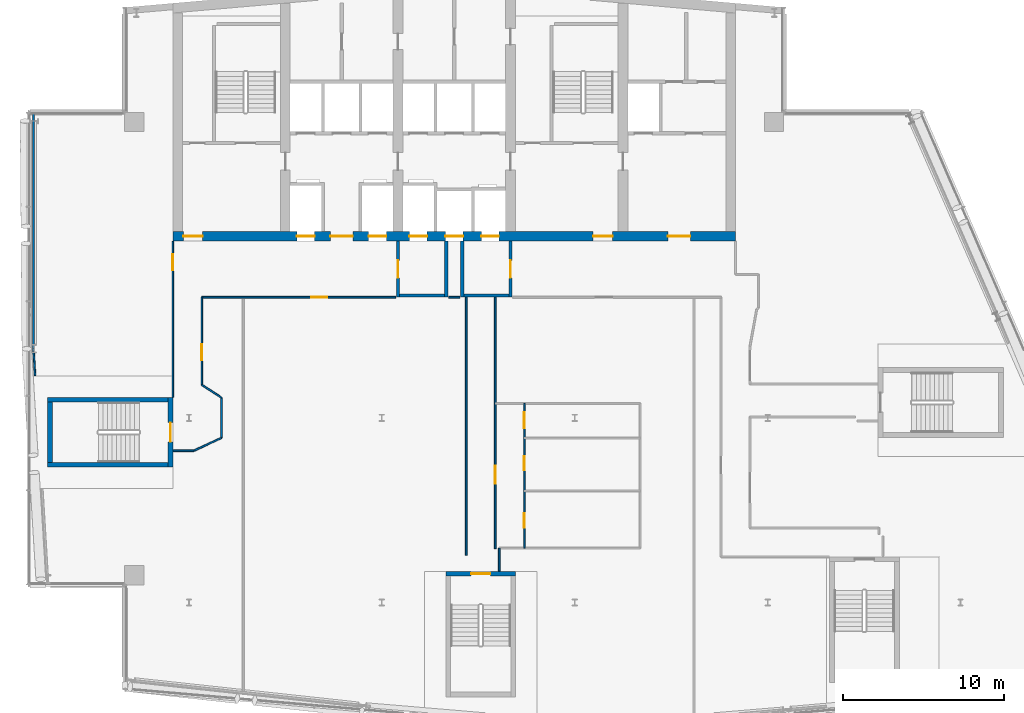
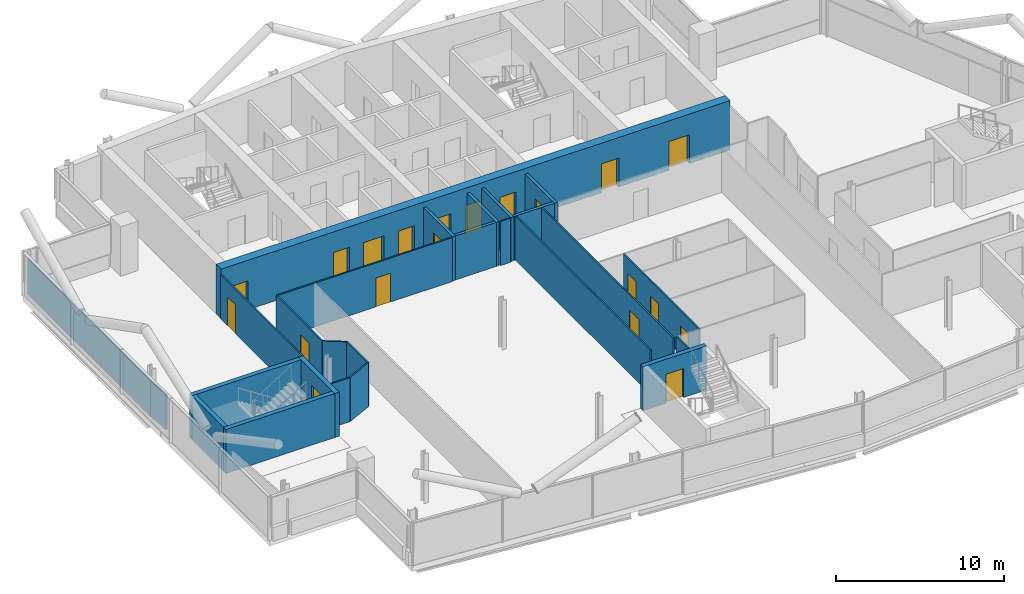
# One storey, part 15 of 26: 26 walls, 20 doors, 20 openings.
"""IFC4 building model written with IfcOpenShell, lengths in metres."""

from ifc_helpers import new_model, si_unit, direction, frame, frame_2d, origin, place, context, subcontext, project, spatial, rectangle, extrude, material, layer, layer_set, type_object, element, fill, save


model = new_model("IFC4")

# Units and contexts
model_context = context("Model", 3, precision=1e-05, world=origin(), true_north=direction((0.0, 1.0)))
body_context = subcontext(model_context, "Body", "Model", "MODEL_VIEW")
ifc_project = project(units=[si_unit("LENGTHUNIT", "METRE"), si_unit("AREAUNIT", "SQUARE_METRE"), si_unit("VOLUMEUNIT", "CUBIC_METRE"), si_unit("PLANEANGLEUNIT", "RADIAN"), si_unit("MASSUNIT", "GRAM", prefix="KILO")], contexts=[model_context])

# Site, building, storey
site_placement = place(None, origin())
site = spatial("IfcSite", under=ifc_project, at=site_placement, CompositionType="ELEMENT")
building_placement = place(site_placement, origin())
building = spatial("IfcBuilding", under=site, at=building_placement, Name="Wharfspan Tower", CompositionType="ELEMENT")
storey_placement = place(building_placement, frame((0.0, 0.0, 235.899902)))
storey = spatial("IfcBuildingStorey", under=building, at=storey_placement, Name="L59", CompositionType="ELEMENT", Elevation=235.899902)

# Wall, opening, door
ifc_material_1 = material(Name="Gypsum board on steel studs", Category="steel")
ifc_layer_1 = layer(ifc_material_1, 0.100098)
ifc_layer_set_1 = layer_set([ifc_layer_1], Name="Gypsum board on steel studs")
wall_type_1 = type_object("IfcWallType", Name="Compartment wall 100 EI 60", PredefinedType="PARTITIONING", material=ifc_layer_set_1)
wall_1_placement = place(storey_placement, frame((23.0, 24.274902, 0.0), z_axis=(0.0, 0.0, 1.0), x_axis=(0.0, 1.0, 0.0)))
wall_1 = element("IfcWall", 1, at=wall_1_placement, inside=storey, type_object=wall_type_1, Name="Partition L59.w004", PredefinedType="PARTITIONING", context=body_context, shape_type="SweptSolid", body=[
    extrude(rectangle(XDim=9.705078, YDim=0.100098, at=frame_2d((4.852539, 0.0))), origin(), (0.0, 0.0, 1.0), 3.200195),
])
opening_1_placement = place(wall_1_placement, frame((7.905029, 0.0, 0.0)))
opening_1 = element("IfcOpeningElement", 2, at=opening_1_placement, cuts=wall_1, Name="Opening D4-11", PredefinedType="OPENING", context=body_context, shape_type="SweptSolid", body=[
    extrude(rectangle(XDim=1.0, YDim=2.100098, at=frame_2d((0.5, 1.050049))), frame((0.0, 0.060059, 0.0), z_axis=(0.0, -1.0, 0.0), x_axis=(1.0, 0.0, 0.0)), (0.0, 0.0, 1.0), 0.120117),
])
ifc_material_2 = material(Name="Fire-rated timber door leaf in steel frame", Category="steel")
door_type_1 = type_object("IfcDoorType", Name="Door 1000 FD30S Right", OperationType="SINGLE_SWING_RIGHT", PredefinedType="DOOR", material=ifc_material_2)
door_1_placement = place(opening_1_placement, origin())
door_1 = element("IfcDoor", 3, at=door_1_placement, inside=storey, type_object=door_type_1, Name="Door D4-11", OperationType="SINGLE_SWING_RIGHT", OverallHeight=2.100098, OverallWidth=1.0, PredefinedType="DOOR", context=body_context, shape_type="SweptSolid", body=[
    extrude(rectangle(XDim=1.0, YDim=2.100098, at=frame_2d((0.5, 1.050049))), frame((0.0, 0.024902, 0.0), z_axis=(0.0, -1.0, 0.0), x_axis=(1.0, 0.0, 0.0)), (0.0, 0.0, 1.0), 0.050049),
])
fill(opening_1, door_1)

# Walls
wall_2_placement = place(storey_placement, frame((23.02002, 20.949951, 0.0), z_axis=(0.0, 0.0, 1.0), x_axis=(1.0, 0.0, 0.0)))
element("IfcWall", 4, at=wall_2_placement, inside=storey, type_object=wall_type_1, Name="Partition L59.w005", PredefinedType="PARTITIONING", context=body_context, shape_type="SweptSolid", body=[
    extrude(rectangle(XDim=1.280029, YDim=0.100098, at=frame_2d((0.640137, 0.0))), origin(), (0.0, 0.0, 1.0), 3.200195),
])
wall_3_placement = place(storey_placement, frame((24.300049, 20.949951, 0.0), z_axis=(0.0, 0.0, 1.0), x_axis=(0.907168, 0.420777, 0.0)))
element("IfcWall", 5, at=wall_3_placement, inside=storey, type_object=wall_type_1, Name="Partition L59.w006", PredefinedType="PARTITIONING", context=body_context, shape_type="SweptSolid", body=[
    extrude(rectangle(XDim=1.901367, YDim=0.100098, at=frame_2d((0.950684, 0.0))), origin(), (0.0, 0.0, 1.0), 3.200195),
])

# Wall, opening, door
wall_4_placement = place(storey_placement, frame((24.800049, 25.050049, 0.0), z_axis=(0.0, 0.0, 1.0), x_axis=(0.0, 1.0, 0.0)))
wall_4 = element("IfcWall", 6, at=wall_4_placement, inside=storey, type_object=wall_type_1, Name="Partition L59.w007", PredefinedType="PARTITIONING", context=body_context, shape_type="SweptSolid", body=[
    extrude(rectangle(XDim=5.449951, YDim=0.100098, at=frame_2d((2.725098, 0.0))), origin(), (0.0, 0.0, 1.0), 3.200195),
])
opening_2_placement = place(wall_4_placement, frame((1.536865, 0.0, 0.0)))
opening_2 = element("IfcOpeningElement", 7, at=opening_2_placement, cuts=wall_4, Name="Opening D4-08", PredefinedType="OPENING", context=body_context, shape_type="SweptSolid", body=[
    extrude(rectangle(XDim=1.0, YDim=2.100098, at=frame_2d((0.5, 1.050049))), frame((0.0, 0.060059, 0.0), z_axis=(0.0, -1.0, 0.0), x_axis=(1.0, 0.0, 0.0)), (0.0, 0.0, 1.0), 0.120117),
])
door_type_2 = type_object("IfcDoorType", Name="Door 1000 FD30S Left", OperationType="SINGLE_SWING_LEFT", PredefinedType="DOOR", material=ifc_material_2)
door_2_placement = place(opening_2_placement, origin())
door_2 = element("IfcDoor", 8, at=door_2_placement, inside=storey, type_object=door_type_2, Name="Door D4-08", OperationType="SINGLE_SWING_LEFT", OverallHeight=2.100098, OverallWidth=1.0, PredefinedType="DOOR", context=body_context, shape_type="SweptSolid", body=[
    extrude(rectangle(XDim=1.0, YDim=2.100098, at=frame_2d((0.5, 1.050049))), frame((0.0, 0.024902, 0.0), z_axis=(0.0, -1.0, 0.0), x_axis=(1.0, 0.0, 0.0)), (0.0, 0.0, 1.0), 0.050049),
])
fill(opening_2, door_2)

wall_5_placement = place(storey_placement, frame((24.800049, 30.5, 0.0), z_axis=(0.0, 0.0, 1.0), x_axis=(1.0, 0.0, 0.0)))
wall_5 = element("IfcWall", 9, at=wall_5_placement, inside=storey, type_object=wall_type_1, Name="Partition L59.w008", PredefinedType="PARTITIONING", context=body_context, shape_type="SweptSolid", body=[
    extrude(rectangle(XDim=12.050049, YDim=0.100098, at=frame_2d((6.024902, 0.0))), origin(), (0.0, 0.0, 1.0), 3.200195),
])
opening_3_placement = place(wall_5_placement, frame((6.794922, 0.0, 0.0)))
opening_3 = element("IfcOpeningElement", 10, at=opening_3_placement, cuts=wall_5, Name="Opening D4-09", PredefinedType="OPENING", context=body_context, shape_type="SweptSolid", body=[
    extrude(rectangle(XDim=1.0, YDim=2.100098, at=frame_2d((0.5, 1.050049))), frame((0.0, 0.060059, 0.0), z_axis=(0.0, -1.0, 0.0), x_axis=(1.0, 0.0, 0.0)), (0.0, 0.0, 1.0), 0.120117),
])
door_3_placement = place(opening_3_placement, origin())
door_3 = element("IfcDoor", 11, at=door_3_placement, inside=storey, type_object=door_type_2, Name="Door D4-09", OperationType="SINGLE_SWING_LEFT", OverallHeight=2.100098, OverallWidth=1.0, PredefinedType="DOOR", context=body_context, shape_type="SweptSolid", body=[
    extrude(rectangle(XDim=1.0, YDim=2.100098, at=frame_2d((0.5, 1.050049))), frame((0.0, 0.024902, 0.0), z_axis=(0.0, -1.0, 0.0), x_axis=(1.0, 0.0, 0.0)), (0.0, 0.0, 1.0), 0.050049),
])
fill(opening_3, door_3)

# Walls
wall_6_placement = place(storey_placement, frame((26.024902, 21.75, 0.0), z_axis=(0.0, 0.0, 1.0), x_axis=(0.0, 1.0, 0.0)))
element("IfcWall", 12, at=wall_6_placement, inside=storey, type_object=wall_type_1, Name="Partition L59.w009", PredefinedType="PARTITIONING", context=body_context, shape_type="SweptSolid", body=[
    extrude(rectangle(XDim=2.5, YDim=0.100098, at=frame_2d((1.25, 0.0))), origin(), (0.0, 0.0, 1.0), 3.200195),
])
wall_7_placement = place(storey_placement, frame((26.024902, 24.25, 0.0), z_axis=(0.0, 0.0, 1.0), x_axis=(-0.837222, 0.546856, 0.0)))
element("IfcWall", 13, at=wall_7_placement, inside=storey, type_object=wall_type_1, Name="Partition L59.w010", PredefinedType="PARTITIONING", context=body_context, shape_type="SweptSolid", body=[
    extrude(rectangle(XDim=1.462891, YDim=0.100098, at=frame_2d((0.731445, 0.0))), origin(), (0.0, 0.0, 1.0), 3.200195),
])
wall_8_placement = place(storey_placement, frame((41.25, 14.443115, 0.0), z_axis=(0.0, 0.0, 1.0), x_axis=(0.0, 1.0, 0.0)))
element("IfcWall", 14, at=wall_8_placement, inside=storey, type_object=wall_type_1, Name="Partition L59.w013", PredefinedType="PARTITIONING", context=body_context, shape_type="SweptSolid", body=[
    extrude(rectangle(XDim=16.056885, YDim=0.100098, at=frame_2d((8.02832, 0.0))), origin(), (0.0, 0.0, 1.0), 3.200195),
])

# Wall, opening, door
wall_9_placement = place(storey_placement, frame((43.054932, 14.860107, 0.0), z_axis=(0.0, 0.0, 1.0), x_axis=(0.0, 1.0, 0.0)))
wall_9 = element("IfcWall", 15, at=wall_9_placement, inside=storey, type_object=wall_type_1, Name="Partition L59.w014", PredefinedType="PARTITIONING", context=body_context, shape_type="SweptSolid", body=[
    extrude(rectangle(XDim=15.639893, YDim=0.100098, at=frame_2d((7.819824, 0.0))), origin(), (0.0, 0.0, 1.0), 3.200195),
])
opening_4_placement = place(wall_9_placement, frame((4.050049, 0.0, 0.0)))
opening_4 = element("IfcOpeningElement", 16, at=opening_4_placement, cuts=wall_9, Name="Opening D4-03", PredefinedType="OPENING", context=body_context, shape_type="SweptSolid", body=[
    extrude(rectangle(XDim=1.100098, YDim=2.100098, at=frame_2d((0.550049, 1.050049))), frame((0.0, 0.060059, 0.0), z_axis=(0.0, -1.0, 0.0), x_axis=(1.0, 0.0, 0.0)), (0.0, 0.0, 1.0), 0.120117),
])
door_type_3 = type_object("IfcDoorType", Name="Door 1100 FD30S Left", OperationType="SINGLE_SWING_LEFT", PredefinedType="DOOR", material=ifc_material_2)
door_4_placement = place(opening_4_placement, origin())
door_4 = element("IfcDoor", 17, at=door_4_placement, inside=storey, type_object=door_type_3, Name="Door D4-03", OperationType="SINGLE_SWING_LEFT", OverallHeight=2.100098, OverallWidth=1.100098, PredefinedType="DOOR", context=body_context, shape_type="SweptSolid", body=[
    extrude(rectangle(XDim=1.100098, YDim=2.100098, at=frame_2d((0.550049, 1.050049))), frame((0.0, 0.024902, 0.0), z_axis=(0.0, -1.0, 0.0), x_axis=(1.0, 0.0, 0.0)), (0.0, 0.0, 1.0), 0.050049),
])
fill(opening_4, door_4)

# Walls
wall_10_placement = place(storey_placement, frame((43.304932, 13.463135, 0.0), z_axis=(0.0, 0.0, 1.0), x_axis=(0.0, 1.0, 0.0)))
element("IfcWall", 18, at=wall_10_placement, inside=storey, type_object=wall_type_1, Name="Partition L59.w017", PredefinedType="PARTITIONING", context=body_context, shape_type="SweptSolid", body=[
    extrude(rectangle(XDim=1.431885, YDim=0.100098, at=frame_2d((0.71582, 0.0))), origin(), (0.0, 0.0, 1.0), 3.200195),
])
wall_11_placement = place(storey_placement, frame((40.149902, 30.5, 0.0), z_axis=(0.0, 0.0, 1.0), x_axis=(1.0, 0.0, 0.0)))
element("IfcWall", 19, at=wall_11_placement, inside=storey, type_object=wall_type_1, Name="Partition L59.w008 (2)", PredefinedType="PARTITIONING", context=body_context, shape_type="SweptSolid", body=[
    extrude(rectangle(XDim=0.700195, YDim=0.100098, at=frame_2d((0.350098, 0.0))), origin(), (0.0, 0.0, 1.0), 3.200195),
])

# Wall, openings, doors
ifc_material_3 = material(Name="Concrete C50/60", Category="concrete")
ifc_layer_2 = layer(ifc_material_3, 0.600098)
ifc_layer_set_2 = layer_set([ifc_layer_2], Name="Concrete C50/60")
wall_type_2 = type_object("IfcWallType", Name="Core wall 600 C50/60", PredefinedType="SHEAR", material=ifc_layer_set_2)
wall_12_placement = place(storey_placement, frame((23.0, 34.300049, 0.0), z_axis=(0.0, 0.0, 1.0), x_axis=(1.0, 0.0, 0.0)))
wall_12 = element("IfcWall", 20, at=wall_12_placement, inside=storey, type_object=wall_type_2, Name="Core front wall L59", PredefinedType="SHEAR", context=body_context, shape_type="SweptSolid", body=[
    extrude(rectangle(XDim=35.0, YDim=0.600098, at=frame_2d((17.5, 0.0))), origin(), (0.0, 0.0, 1.0), 3.600098),
])
opening_5_placement = place(wall_12_placement, frame((0.649902, 0.0, 0.0)))
opening_5 = element("IfcOpeningElement", 21, at=opening_5_placement, cuts=wall_12, Name="Opening SV2.L59", PredefinedType="OPENING", context=body_context, shape_type="SweptSolid", body=[
    extrude(rectangle(XDim=1.199951, YDim=2.100098, at=frame_2d((0.600098, 1.050049))), frame((0.0, 0.310059, 0.0), z_axis=(0.0, -1.0, 0.0), x_axis=(1.0, 0.0, 0.0)), (0.0, 0.0, 1.0), 0.620117),
])
opening_6_placement = place(wall_12_placement, frame((7.716797, 0.0, 0.0)))
opening_6 = element("IfcOpeningElement", 22, at=opening_6_placement, cuts=wall_12, Name="Opening LD.SL1.L59", PredefinedType="OPENING", context=body_context, shape_type="SweptSolid", body=[
    extrude(rectangle(XDim=1.100098, YDim=2.100098, at=frame_2d((0.550049, 1.050049))), frame((0.0, 0.310059, 0.0), z_axis=(0.0, -1.0, 0.0), x_axis=(1.0, 0.0, 0.0)), (0.0, 0.0, 1.0), 0.620117),
])
opening_7_placement = place(wall_12_placement, frame((12.18335, 0.0, 0.0)))
opening_7 = element("IfcOpeningElement", 23, at=opening_7_placement, cuts=wall_12, Name="Opening LD.SL2.L59", PredefinedType="OPENING", context=body_context, shape_type="SweptSolid", body=[
    extrude(rectangle(XDim=1.100098, YDim=2.100098, at=frame_2d((0.550049, 1.050049))), frame((0.0, 0.310059, 0.0), z_axis=(0.0, -1.0, 0.0), x_axis=(1.0, 0.0, 0.0)), (0.0, 0.0, 1.0), 0.620117),
])
opening_8_placement = place(wall_12_placement, frame((9.800049, 0.0, 0.0)))
opening_8 = element("IfcOpeningElement", 24, at=opening_8_placement, cuts=wall_12, Name="Opening HD59.3", PredefinedType="OPENING", context=body_context, shape_type="SweptSolid", body=[
    extrude(rectangle(XDim=1.399902, YDim=2.100098, at=frame_2d((0.699951, 1.050049))), frame((0.0, 0.310059, 0.0), z_axis=(0.0, -1.0, 0.0), x_axis=(1.0, 0.0, 0.0)), (0.0, 0.0, 1.0), 0.620117),
])
opening_9_placement = place(wall_12_placement, frame((14.716797, 0.0, 0.0)))
opening_9 = element("IfcOpeningElement", 25, at=opening_9_placement, cuts=wall_12, Name="Opening LD.FF1.L59", PredefinedType="OPENING", context=body_context, shape_type="SweptSolid", body=[
    extrude(rectangle(XDim=1.100098, YDim=2.100098, at=frame_2d((0.550049, 1.050049))), frame((0.0, 0.310059, 0.0), z_axis=(0.0, -1.0, 0.0), x_axis=(1.0, 0.0, 0.0)), (0.0, 0.0, 1.0), 0.620117),
])
opening_10_placement = place(wall_12_placement, frame((16.949951, 0.0, 0.0)))
opening_10 = element("IfcOpeningElement", 26, at=opening_10_placement, cuts=wall_12, Name="Opening LD.LB7.L59", PredefinedType="OPENING", context=body_context, shape_type="SweptSolid", body=[
    extrude(rectangle(XDim=1.100098, YDim=2.100098, at=frame_2d((0.550049, 1.050049))), frame((0.0, 0.310059, 0.0), z_axis=(0.0, -1.0, 0.0), x_axis=(1.0, 0.0, 0.0)), (0.0, 0.0, 1.0), 0.620117),
])
opening_11_placement = place(wall_12_placement, frame((19.18335, 0.0, 0.0)))
opening_11 = element("IfcOpeningElement", 27, at=opening_11_placement, cuts=wall_12, Name="Opening LD.FF2.L59", PredefinedType="OPENING", context=body_context, shape_type="SweptSolid", body=[
    extrude(rectangle(XDim=1.100098, YDim=2.100098, at=frame_2d((0.550049, 1.050049))), frame((0.0, 0.310059, 0.0), z_axis=(0.0, -1.0, 0.0), x_axis=(1.0, 0.0, 0.0)), (0.0, 0.0, 1.0), 0.620117),
])
opening_12_placement = place(wall_12_placement, frame((26.149902, 0.0, 0.0)))
opening_12 = element("IfcOpeningElement", 28, at=opening_12_placement, cuts=wall_12, Name="Opening SV5.L59", PredefinedType="OPENING", context=body_context, shape_type="SweptSolid", body=[
    extrude(rectangle(XDim=1.199951, YDim=2.100098, at=frame_2d((0.600098, 1.050049))), frame((0.0, 0.310059, 0.0), z_axis=(0.0, -1.0, 0.0), x_axis=(1.0, 0.0, 0.0)), (0.0, 0.0, 1.0), 0.620117),
])
opening_13_placement = place(wall_12_placement, frame((30.800049, 0.0, 0.0)))
opening_13 = element("IfcOpeningElement", 29, at=opening_13_placement, cuts=wall_12, Name="Opening HD59.6", PredefinedType="OPENING", context=body_context, shape_type="SweptSolid", body=[
    extrude(rectangle(XDim=1.399902, YDim=2.100098, at=frame_2d((0.699951, 1.050049))), frame((0.0, 0.310059, 0.0), z_axis=(0.0, -1.0, 0.0), x_axis=(1.0, 0.0, 0.0)), (0.0, 0.0, 1.0), 0.620117),
])
ifc_material_4 = material(Name="Steel door leaf", Category="steel")
door_type_4 = type_object("IfcDoorType", Name="Hall entry door 1400x2100", OperationType="DOUBLE_DOOR_SINGLE_SWING", PredefinedType="DOOR", material=ifc_material_4)
door_5_placement = place(opening_8_placement, origin())
door_5 = element("IfcDoor", 30, at=door_5_placement, inside=storey, type_object=door_type_4, Name="d:L59:3:hd3", OperationType="DOUBLE_DOOR_SINGLE_SWING", OverallHeight=2.100098, OverallWidth=1.399902, PredefinedType="DOOR", context=body_context, shape_type="SweptSolid", body=[
    extrude(rectangle(XDim=1.399902, YDim=2.100098, at=frame_2d((0.699951, 1.050049))), frame((0.0, 0.024902, 0.0), z_axis=(0.0, -1.0, 0.0), x_axis=(1.0, 0.0, 0.0)), (0.0, 0.0, 1.0), 0.050049),
])
fill(opening_8, door_5)
door_6_placement = place(opening_13_placement, origin())
door_6 = element("IfcDoor", 31, at=door_6_placement, inside=storey, type_object=door_type_4, Name="d:L59:6:hd6", OperationType="DOUBLE_DOOR_SINGLE_SWING", OverallHeight=2.100098, OverallWidth=1.399902, PredefinedType="DOOR", context=body_context, shape_type="SweptSolid", body=[
    extrude(rectangle(XDim=1.399902, YDim=2.100098, at=frame_2d((0.699951, 1.050049))), frame((0.0, 0.024902, 0.0), z_axis=(0.0, -1.0, 0.0), x_axis=(1.0, 0.0, 0.0)), (0.0, 0.0, 1.0), 0.050049),
])
fill(opening_13, door_6)
ifc_material_5 = material(Name="Stainless steel", Category="steel")
door_type_5 = type_object("IfcDoorType", Name="Lift landing door 1100x2100", OperationType="DOUBLE_DOOR_SLIDING", PredefinedType="DOOR", material=ifc_material_5)
door_7_placement = place(opening_6_placement, origin())
door_7 = element("IfcDoor", 32, at=door_7_placement, inside=storey, type_object=door_type_5, Name="Landing door SL1 L59", OperationType="DOUBLE_DOOR_SLIDING", OverallHeight=2.100098, OverallWidth=1.100098, PredefinedType="DOOR", context=body_context, shape_type="SweptSolid", body=[
    extrude(rectangle(XDim=1.100098, YDim=2.100098, at=frame_2d((0.550049, 1.050049))), frame((0.0, 0.024902, 0.0), z_axis=(0.0, -1.0, 0.0), x_axis=(1.0, 0.0, 0.0)), (0.0, 0.0, 1.0), 0.050049),
])
fill(opening_6, door_7)
door_8_placement = place(opening_7_placement, origin())
door_8 = element("IfcDoor", 33, at=door_8_placement, inside=storey, type_object=door_type_5, Name="Landing door SL2 L59", OperationType="DOUBLE_DOOR_SLIDING", OverallHeight=2.100098, OverallWidth=1.100098, PredefinedType="DOOR", context=body_context, shape_type="SweptSolid", body=[
    extrude(rectangle(XDim=1.100098, YDim=2.100098, at=frame_2d((0.550049, 1.050049))), frame((0.0, 0.024902, 0.0), z_axis=(0.0, -1.0, 0.0), x_axis=(1.0, 0.0, 0.0)), (0.0, 0.0, 1.0), 0.050049),
])
fill(opening_7, door_8)
door_9_placement = place(opening_9_placement, origin())
door_9 = element("IfcDoor", 34, at=door_9_placement, inside=storey, type_object=door_type_5, Name="Landing door FF1 L59", OperationType="DOUBLE_DOOR_SLIDING", OverallHeight=2.100098, OverallWidth=1.100098, PredefinedType="DOOR", context=body_context, shape_type="SweptSolid", body=[
    extrude(rectangle(XDim=1.100098, YDim=2.100098, at=frame_2d((0.550049, 1.050049))), frame((0.0, 0.024902, 0.0), z_axis=(0.0, -1.0, 0.0), x_axis=(1.0, 0.0, 0.0)), (0.0, 0.0, 1.0), 0.050049),
])
fill(opening_9, door_9)
door_10_placement = place(opening_10_placement, origin())
door_10 = element("IfcDoor", 35, at=door_10_placement, inside=storey, type_object=door_type_5, Name="Landing door LB7 L59", OperationType="DOUBLE_DOOR_SLIDING", OverallHeight=2.100098, OverallWidth=1.100098, PredefinedType="DOOR", context=body_context, shape_type="SweptSolid", body=[
    extrude(rectangle(XDim=1.100098, YDim=2.100098, at=frame_2d((0.550049, 1.050049))), frame((0.0, 0.024902, 0.0), z_axis=(0.0, -1.0, 0.0), x_axis=(1.0, 0.0, 0.0)), (0.0, 0.0, 1.0), 0.050049),
])
fill(opening_10, door_10)
door_11_placement = place(opening_11_placement, origin())
door_11 = element("IfcDoor", 36, at=door_11_placement, inside=storey, type_object=door_type_5, Name="Landing door FF2 L59", OperationType="DOUBLE_DOOR_SLIDING", OverallHeight=2.100098, OverallWidth=1.100098, PredefinedType="DOOR", context=body_context, shape_type="SweptSolid", body=[
    extrude(rectangle(XDim=1.100098, YDim=2.100098, at=frame_2d((0.550049, 1.050049))), frame((0.0, 0.024902, 0.0), z_axis=(0.0, -1.0, 0.0), x_axis=(1.0, 0.0, 0.0)), (0.0, 0.0, 1.0), 0.050049),
])
fill(opening_11, door_11)
door_type_6 = type_object("IfcDoorType", Name="Stair door 1200x2100", OperationType="SINGLE_SWING_LEFT", PredefinedType="DOOR", material=ifc_material_4)
door_12_placement = place(opening_5_placement, origin())
door_12 = element("IfcDoor", 37, at=door_12_placement, inside=storey, type_object=door_type_6, Name="vd:L59:2", OperationType="SINGLE_SWING_LEFT", OverallHeight=2.100098, OverallWidth=1.199951, PredefinedType="DOOR", context=body_context, shape_type="SweptSolid", body=[
    extrude(rectangle(XDim=1.199951, YDim=2.100098, at=frame_2d((0.600098, 1.050049))), frame((0.0, 0.024902, 0.0), z_axis=(0.0, -1.0, 0.0), x_axis=(1.0, 0.0, 0.0)), (0.0, 0.0, 1.0), 0.050049),
])
fill(opening_5, door_12)
door_13_placement = place(opening_12_placement, origin())
door_13 = element("IfcDoor", 38, at=door_13_placement, inside=storey, type_object=door_type_6, Name="vd:L59:5", OperationType="SINGLE_SWING_LEFT", OverallHeight=2.100098, OverallWidth=1.199951, PredefinedType="DOOR", context=body_context, shape_type="SweptSolid", body=[
    extrude(rectangle(XDim=1.199951, YDim=2.100098, at=frame_2d((0.600098, 1.050049))), frame((0.0, 0.024902, 0.0), z_axis=(0.0, -1.0, 0.0), x_axis=(1.0, 0.0, 0.0)), (0.0, 0.0, 1.0), 0.050049),
])
fill(opening_12, door_13)

# Wall, opening, door
ifc_material_6 = material(Name="Concrete C30/37", Category="concrete")
ifc_layer_3 = layer(ifc_material_6, 0.199951)
ifc_layer_set_3 = layer_set([ifc_layer_3], Name="Concrete C30/37")
wall_type_3 = type_object("IfcWallType", Name="Lobby wall 200", PredefinedType="PARTITIONING", material=ifc_layer_set_3)
wall_13_placement = place(storey_placement, frame((37.0, 30.5, 0.0), z_axis=(0.0, 0.0, 1.0), x_axis=(0.0, 1.0, 0.0)))
wall_13 = element("IfcWall", 39, at=wall_13_placement, inside=storey, type_object=wall_type_3, Name="sw:L59:FLFF1W", PredefinedType="PARTITIONING", context=body_context, shape_type="SweptSolid", body=[
    extrude(rectangle(XDim=3.5, YDim=0.199951, at=frame_2d((1.75, 0.0))), origin(), (0.0, 0.0, 1.0), 3.200195),
])
opening_14_placement = place(wall_13_placement, frame((1.199951, 0.0, 0.0)))
opening_14 = element("IfcOpeningElement", 40, at=opening_14_placement, cuts=wall_13, Name="Opening FL.FF1.L59", PredefinedType="OPENING", context=body_context, shape_type="SweptSolid", body=[
    extrude(rectangle(XDim=1.100098, YDim=2.100098, at=frame_2d((0.550049, 1.050049))), frame((0.0, 0.109863, 0.0), z_axis=(0.0, -1.0, 0.0), x_axis=(1.0, 0.0, 0.0)), (0.0, 0.0, 1.0), 0.219971),
])
door_type_7 = type_object("IfcDoorType", Name="Firefighting lobby door 1100x2100", OperationType="SINGLE_SWING_LEFT", PredefinedType="DOOR", material=ifc_material_4)
door_14_placement = place(opening_14_placement, origin())
door_14 = element("IfcDoor", 41, at=door_14_placement, inside=storey, type_object=door_type_7, Name="fd:L59:FF1", OperationType="SINGLE_SWING_LEFT", OverallHeight=2.100098, OverallWidth=1.100098, PredefinedType="DOOR", context=body_context, shape_type="SweptSolid", body=[
    extrude(rectangle(XDim=1.100098, YDim=2.100098, at=frame_2d((0.550049, 1.050049))), frame((0.0, 0.024902, 0.0), z_axis=(0.0, -1.0, 0.0), x_axis=(1.0, 0.0, 0.0)), (0.0, 0.0, 1.0), 0.050049),
])
fill(opening_14, door_14)

# Walls
wall_14_placement = place(storey_placement, frame((40.0, 30.5, 0.0), z_axis=(0.0, 0.0, 1.0), x_axis=(0.0, 1.0, 0.0)))
element("IfcWall", 42, at=wall_14_placement, inside=storey, type_object=wall_type_3, Name="sw:L59:FLFF1E", PredefinedType="PARTITIONING", context=body_context, shape_type="SweptSolid", body=[
    extrude(rectangle(XDim=3.5, YDim=0.199951, at=frame_2d((1.75, 0.0))), origin(), (0.0, 0.0, 1.0), 3.200195),
])
wall_15_placement = place(storey_placement, frame((37.100098, 30.600098, 0.0), z_axis=(0.0, 0.0, 1.0), x_axis=(1.0, 0.0, 0.0)))
element("IfcWall", 43, at=wall_15_placement, inside=storey, type_object=wall_type_3, Name="sw:L59:FLFF1F", PredefinedType="PARTITIONING", context=body_context, shape_type="SweptSolid", body=[
    extrude(rectangle(XDim=2.799805, YDim=0.199951, at=frame_2d((1.399902, 0.0))), origin(), (0.0, 0.0, 1.0), 3.200195),
])
wall_16_placement = place(storey_placement, frame((41.0, 30.5, 0.0), z_axis=(0.0, 0.0, 1.0), x_axis=(0.0, 1.0, 0.0)))
element("IfcWall", 44, at=wall_16_placement, inside=storey, type_object=wall_type_3, Name="sw:L59:FLFF2W", PredefinedType="PARTITIONING", context=body_context, shape_type="SweptSolid", body=[
    extrude(rectangle(XDim=3.5, YDim=0.199951, at=frame_2d((1.75, 0.0))), origin(), (0.0, 0.0, 1.0), 3.200195),
])

# Wall, opening, door
wall_17_placement = place(storey_placement, frame((44.0, 30.5, 0.0), z_axis=(0.0, 0.0, 1.0), x_axis=(0.0, 1.0, 0.0)))
wall_17 = element("IfcWall", 45, at=wall_17_placement, inside=storey, type_object=wall_type_3, Name="sw:L59:FLFF2E", PredefinedType="PARTITIONING", context=body_context, shape_type="SweptSolid", body=[
    extrude(rectangle(XDim=3.5, YDim=0.199951, at=frame_2d((1.75, 0.0))), origin(), (0.0, 0.0, 1.0), 3.200195),
])
opening_15_placement = place(wall_17_placement, frame((1.199951, 0.0, 0.0)))
opening_15 = element("IfcOpeningElement", 46, at=opening_15_placement, cuts=wall_17, Name="Opening FL.FF2.L59", PredefinedType="OPENING", context=body_context, shape_type="SweptSolid", body=[
    extrude(rectangle(XDim=1.100098, YDim=2.100098, at=frame_2d((0.550049, 1.050049))), frame((0.0, 0.109863, 0.0), z_axis=(0.0, -1.0, 0.0), x_axis=(1.0, 0.0, 0.0)), (0.0, 0.0, 1.0), 0.219971),
])
door_15_placement = place(opening_15_placement, origin())
door_15 = element("IfcDoor", 47, at=door_15_placement, inside=storey, type_object=door_type_7, Name="fd:L59:FF2", OperationType="SINGLE_SWING_LEFT", OverallHeight=2.100098, OverallWidth=1.100098, PredefinedType="DOOR", context=body_context, shape_type="SweptSolid", body=[
    extrude(rectangle(XDim=1.100098, YDim=2.100098, at=frame_2d((0.550049, 1.050049))), frame((0.0, 0.024902, 0.0), z_axis=(0.0, -1.0, 0.0), x_axis=(1.0, 0.0, 0.0)), (0.0, 0.0, 1.0), 0.050049),
])
fill(opening_15, door_15)

# Walls
wall_18_placement = place(storey_placement, frame((41.100098, 30.600098, 0.0), z_axis=(0.0, 0.0, 1.0), x_axis=(1.0, 0.0, 0.0)))
element("IfcWall", 48, at=wall_18_placement, inside=storey, type_object=wall_type_3, Name="sw:L59:FLFF2F", PredefinedType="PARTITIONING", context=body_context, shape_type="SweptSolid", body=[
    extrude(rectangle(XDim=2.799805, YDim=0.199951, at=frame_2d((1.399902, 0.0))), origin(), (0.0, 0.0, 1.0), 3.200195),
])
ifc_layer_4 = layer(ifc_material_1, 0.100098)
ifc_layer_set_4 = layer_set([ifc_layer_4], Name="Gypsum board on steel studs")
wall_type_4 = type_object("IfcWallType", Name="Partition 100", PredefinedType="PARTITIONING", material=ifc_layer_set_4)
wall_19_placement = place(storey_placement, frame((14.324951, 27.300049, 0.0), z_axis=(0.0, 0.0, 1.0), x_axis=(0.0, 1.0, 0.0)))
element("IfcWall", 49, at=wall_19_placement, inside=storey, type_object=wall_type_4, Name="Partition L59.w001", PredefinedType="PARTITIONING", context=body_context, shape_type="SweptSolid", body=[
    extrude(rectangle(XDim=14.679932, YDim=0.100098, at=frame_2d((7.339844, 0.0))), origin(), (0.0, 0.0, 1.0), 2.580078),
])
wall_20_placement = place(storey_placement, frame((14.428711, 25.620117, 0.0), z_axis=(0.0, 0.0, 1.0), x_axis=(-0.061647, 0.998101, 0.0)))
element("IfcWall", 50, at=wall_20_placement, inside=storey, type_object=wall_type_4, Name="Partition L59.w002", PredefinedType="PARTITIONING", context=body_context, shape_type="SweptSolid", body=[
    extrude(rectangle(XDim=1.683105, YDim=0.100098, at=frame_2d((0.841553, 0.0))), origin(), (0.0, 0.0, 1.0), 2.580078),
])

# Wall, openings, doors
wall_21_placement = place(storey_placement, frame((44.86499, 14.89502, 0.0), z_axis=(0.0, 0.0, 1.0), x_axis=(0.0, 1.0, 0.0)))
wall_21 = element("IfcWall", 51, at=wall_21_placement, inside=storey, type_object=wall_type_4, Name="Partition L59.w019", PredefinedType="PARTITIONING", context=body_context, shape_type="SweptSolid", body=[
    extrude(rectangle(XDim=9.0, YDim=0.100098, at=frame_2d((4.5, 0.0))), origin(), (0.0, 0.0, 1.0), 3.200195),
])
opening_16_placement = place(wall_21_placement, frame((1.272949, 0.0, 0.0)))
opening_16 = element("IfcOpeningElement", 52, at=opening_16_placement, cuts=wall_21, Name="Opening D4-01", PredefinedType="OPENING", context=body_context, shape_type="SweptSolid", body=[
    extrude(rectangle(XDim=0.899902, YDim=2.100098, at=frame_2d((0.449951, 1.050049))), frame((0.0, 0.060059, 0.0), z_axis=(0.0, -1.0, 0.0), x_axis=(1.0, 0.0, 0.0)), (0.0, 0.0, 1.0), 0.120117),
])
opening_17_placement = place(wall_21_placement, frame((4.827881, 0.0, 0.0)))
opening_17 = element("IfcOpeningElement", 53, at=opening_17_placement, cuts=wall_21, Name="Opening D4-05", PredefinedType="OPENING", context=body_context, shape_type="SweptSolid", body=[
    extrude(rectangle(XDim=0.899902, YDim=2.100098, at=frame_2d((0.449951, 1.050049))), frame((0.0, 0.060059, 0.0), z_axis=(0.0, -1.0, 0.0), x_axis=(1.0, 0.0, 0.0)), (0.0, 0.0, 1.0), 0.120117),
])
opening_18_placement = place(wall_21_placement, frame((7.462891, 0.0, 0.0)))
opening_18 = element("IfcOpeningElement", 54, at=opening_18_placement, cuts=wall_21, Name="Opening D4-06", PredefinedType="OPENING", context=body_context, shape_type="SweptSolid", body=[
    extrude(rectangle(XDim=1.0, YDim=2.100098, at=frame_2d((0.5, 1.050049))), frame((0.0, 0.060059, 0.0), z_axis=(0.0, -1.0, 0.0), x_axis=(1.0, 0.0, 0.0)), (0.0, 0.0, 1.0), 0.120117),
])
ifc_material_7 = material(Name="Timber door leaf in steel frame", Category="steel")
door_type_8 = type_object("IfcDoorType", Name="Door 1000 NOT RATED Right", OperationType="SINGLE_SWING_RIGHT", PredefinedType="DOOR", material=ifc_material_7)
door_16_placement = place(opening_18_placement, origin())
door_16 = element("IfcDoor", 55, at=door_16_placement, inside=storey, type_object=door_type_8, Name="Door D4-06", OperationType="SINGLE_SWING_RIGHT", OverallHeight=2.100098, OverallWidth=1.0, PredefinedType="DOOR", context=body_context, shape_type="SweptSolid", body=[
    extrude(rectangle(XDim=1.0, YDim=2.100098, at=frame_2d((0.5, 1.050049))), frame((0.0, 0.024902, 0.0), z_axis=(0.0, -1.0, 0.0), x_axis=(1.0, 0.0, 0.0)), (0.0, 0.0, 1.0), 0.050049),
])
fill(opening_18, door_16)
door_type_9 = type_object("IfcDoorType", Name="Door 900 NOT RATED Left", OperationType="SINGLE_SWING_LEFT", PredefinedType="DOOR", material=ifc_material_7)
door_17_placement = place(opening_16_placement, origin())
door_17 = element("IfcDoor", 56, at=door_17_placement, inside=storey, type_object=door_type_9, Name="Door D4-01", OperationType="SINGLE_SWING_LEFT", OverallHeight=2.100098, OverallWidth=0.899902, PredefinedType="DOOR", context=body_context, shape_type="SweptSolid", body=[
    extrude(rectangle(XDim=0.899902, YDim=2.100098, at=frame_2d((0.449951, 1.050049))), frame((0.0, 0.024902, 0.0), z_axis=(0.0, -1.0, 0.0), x_axis=(1.0, 0.0, 0.0)), (0.0, 0.0, 1.0), 0.050049),
])
fill(opening_16, door_17)
door_type_10 = type_object("IfcDoorType", Name="Door 900 NOT RATED Right", OperationType="SINGLE_SWING_RIGHT", PredefinedType="DOOR", material=ifc_material_7)
door_18_placement = place(opening_17_placement, origin())
door_18 = element("IfcDoor", 57, at=door_18_placement, inside=storey, type_object=door_type_10, Name="Door D4-05", OperationType="SINGLE_SWING_RIGHT", OverallHeight=2.100098, OverallWidth=0.899902, PredefinedType="DOOR", context=body_context, shape_type="SweptSolid", body=[
    extrude(rectangle(XDim=0.899902, YDim=2.100098, at=frame_2d((0.449951, 1.050049))), frame((0.0, 0.024902, 0.0), z_axis=(0.0, -1.0, 0.0), x_axis=(1.0, 0.0, 0.0)), (0.0, 0.0, 1.0), 0.050049),
])
fill(opening_17, door_18)

# Wall, opening, door
ifc_material_8 = material(Name="Concrete C40/50", Category="concrete")
ifc_layer_5 = layer(ifc_material_8, 0.300049)
ifc_layer_set_5 = layer_set([ifc_layer_5], Name="Concrete C40/50")
wall_type_5 = type_object("IfcWallType", Name="Stair core wall 300", PredefinedType="SHEAR", material=ifc_layer_set_5)
wall_22_placement = place(storey_placement, frame((22.850098, 19.925049, 0.0), z_axis=(0.0, 0.0, 1.0), x_axis=(0.0, 1.0, 0.0)))
wall_22 = element("IfcWall", 58, at=wall_22_placement, inside=storey, type_object=wall_type_5, Name="ST3 stair enclosure wall L59", PredefinedType="SHEAR", context=body_context, shape_type="SweptSolid", body=[
    extrude(rectangle(XDim=4.349854, YDim=0.300049, at=frame_2d((2.174805, 0.0))), origin(), (0.0, 0.0, 1.0), 3.200195),
])
opening_19_placement = place(wall_22_placement, frame((1.574951, 0.0, 0.0)))
opening_19 = element("IfcOpeningElement", 59, at=opening_19_placement, cuts=wall_22, Name="Opening SD3.L59", PredefinedType="OPENING", context=body_context, shape_type="SweptSolid", body=[
    extrude(rectangle(XDim=1.199951, YDim=2.100098, at=frame_2d((0.600098, 1.050049))), frame((0.0, 0.159912, 0.0), z_axis=(0.0, -1.0, 0.0), x_axis=(1.0, 0.0, 0.0)), (0.0, 0.0, 1.0), 0.320068),
])
door_19_placement = place(opening_19_placement, origin())
door_19 = element("IfcDoor", 60, at=door_19_placement, inside=storey, type_object=door_type_6, Name="sd:L59:ST3z4", OperationType="SINGLE_SWING_RIGHT", OverallHeight=2.100098, OverallWidth=1.199951, PredefinedType="DOOR", context=body_context, shape_type="SweptSolid", body=[
    extrude(rectangle(XDim=1.199951, YDim=2.100098, at=frame_2d((0.600098, 1.050049))), frame((0.0, 0.024902, 0.0), z_axis=(0.0, -1.0, 0.0), x_axis=(1.0, 0.0, 0.0)), (0.0, 0.0, 1.0), 0.050049),
])
fill(opening_19, door_19)

wall_23_placement = place(storey_placement, frame((39.977051, 13.293213, 0.0), z_axis=(0.0, 0.0, 1.0), x_axis=(1.0, 0.0, 0.0)))
wall_23 = element("IfcWall", 61, at=wall_23_placement, inside=storey, type_object=wall_type_5, Name="ST4 stair enclosure wall L59", PredefinedType="SHEAR", context=body_context, shape_type="SweptSolid", body=[
    extrude(rectangle(XDim=4.350098, YDim=0.300049, at=frame_2d((2.175049, 0.0))), origin(), (0.0, 0.0, 1.0), 3.200195),
])
opening_20_placement = place(wall_23_placement, frame((1.574951, 0.0, 0.0)))
opening_20 = element("IfcOpeningElement", 62, at=opening_20_placement, cuts=wall_23, Name="Opening SD4.L59", PredefinedType="OPENING", context=body_context, shape_type="SweptSolid", body=[
    extrude(rectangle(XDim=1.199951, YDim=2.100098, at=frame_2d((0.600098, 1.050049))), frame((0.0, 0.159912, 0.0), z_axis=(0.0, -1.0, 0.0), x_axis=(1.0, 0.0, 0.0)), (0.0, 0.0, 1.0), 0.320068),
])
door_20_placement = place(opening_20_placement, origin())
door_20 = element("IfcDoor", 63, at=door_20_placement, inside=storey, type_object=door_type_6, Name="sd:L59:ST4z4", OperationType="SINGLE_SWING_RIGHT", OverallHeight=2.100098, OverallWidth=1.199951, PredefinedType="DOOR", context=body_context, shape_type="SweptSolid", body=[
    extrude(rectangle(XDim=1.199951, YDim=2.100098, at=frame_2d((0.600098, 1.050049))), frame((0.0, 0.024902, 0.0), z_axis=(0.0, -1.0, 0.0), x_axis=(1.0, 0.0, 0.0)), (0.0, 0.0, 1.0), 0.050049),
])
fill(opening_20, door_20)

# Walls
for number, where, z_axis, x_axis, name in (
    (64, (15.199951, 20.074951, 0.0), (0.0, 0.0, 1.0), (1.0, 0.0, 0.0), "ST3 stair enclosure wall L59"),
    (65, (15.199951, 24.125, 0.0), (0.0, 0.0, 1.0), (1.0, 0.0, 0.0), "ST3 stair enclosure wall L59"),
):
    element("IfcWall", number, at=place(storey_placement, frame(where, z_axis=z_axis, x_axis=x_axis)), inside=storey, type_object=wall_type_5, Name=name, PredefinedType="SHEAR", context=body_context, shape_type="SweptSolid", body=[
        extrude(rectangle(XDim=7.5, YDim=0.300049, at=frame_2d((3.75, 0.0))), origin(), (0.0, 0.0, 1.0), 3.200195),
    ])
wall_24_placement = place(storey_placement, frame((15.350098, 20.225098, 0.0), z_axis=(0.0, 0.0, 1.0), x_axis=(0.0, 1.0, 0.0)))
element("IfcWall", 66, at=wall_24_placement, inside=storey, type_object=wall_type_5, Name="ST3 stair enclosure wall L59", PredefinedType="SHEAR", context=body_context, shape_type="SweptSolid", body=[
    extrude(rectangle(XDim=3.75, YDim=0.300049, at=frame_2d((1.875, 0.0))), origin(), (0.0, 0.0, 1.0), 3.200195),
])

save(model, "model.ifc")
